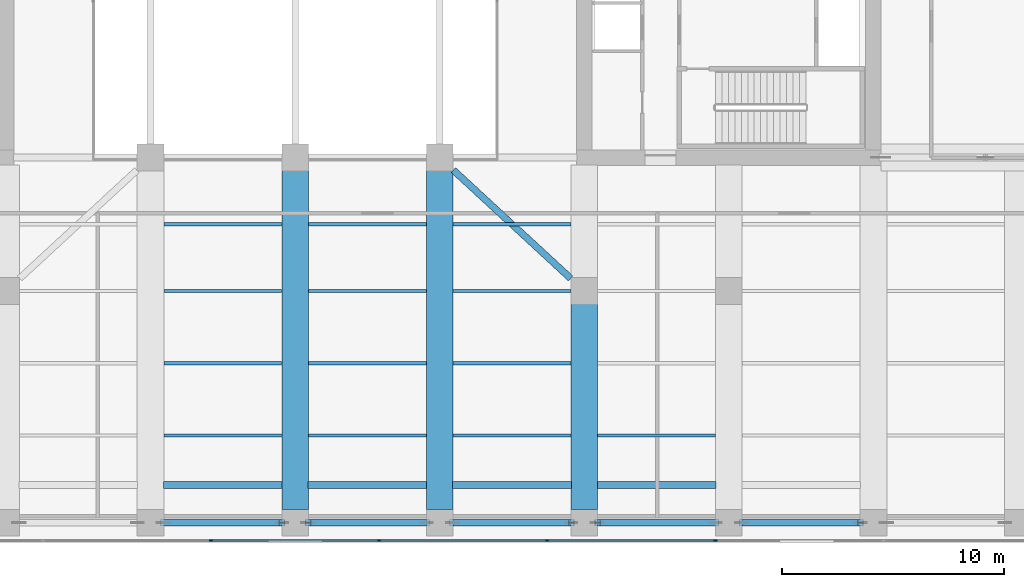
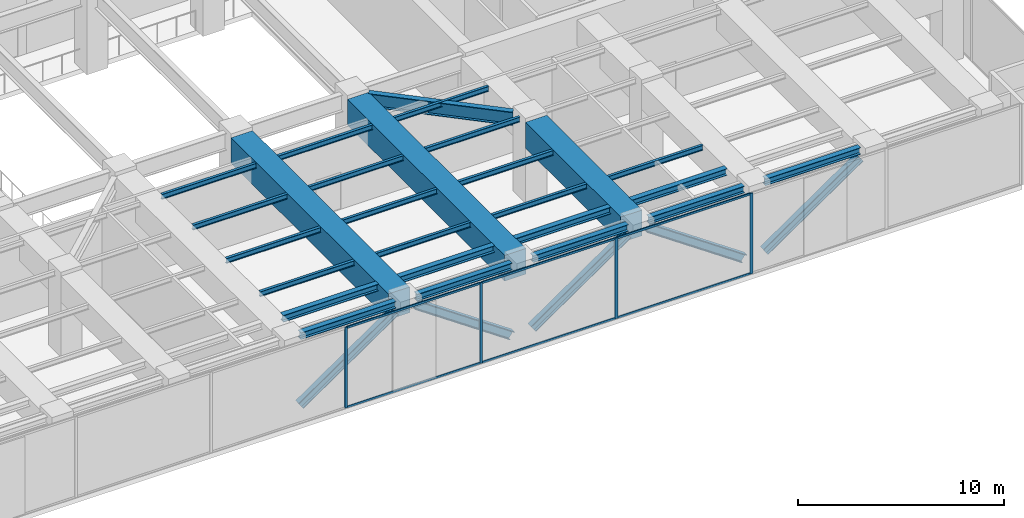
# One storey, part 5 of 28: 26 beams, 15 members, 1 element without a shape of its own.
"""IFC4 building model written with IfcOpenShell, lengths in metres."""

from ifc_helpers import new_model, si_unit, direction, frame, origin, origin_2d, place, context, subcontext, project, spatial, rectangle, i_section, extrude, material, layer, layer_set, material_profile, profile_set, type_object, element, aggregate, save


model = new_model("IFC4")

# Units and contexts
model_context = context("Model", 3, precision=1e-05, world=origin(), true_north=direction((0.0, 1.0)))
body_context = subcontext(model_context, "Body", "Model", "MODEL_VIEW")
ifc_project = project(units=[si_unit("LENGTHUNIT", "METRE"), si_unit("AREAUNIT", "SQUARE_METRE"), si_unit("VOLUMEUNIT", "CUBIC_METRE"), si_unit("PLANEANGLEUNIT", "RADIAN"), si_unit("MASSUNIT", "GRAM", prefix="KILO")], contexts=[model_context])

# Site, building, storey
site_placement = place(None, origin())
site = spatial("IfcSite", under=ifc_project, at=site_placement, CompositionType="ELEMENT")
building_placement = place(site_placement, origin())
building = spatial("IfcBuilding", under=site, at=building_placement, Name="Putna Gate Headquarters", CompositionType="ELEMENT")
storey_placement = place(building_placement, frame((0.0, 0.0, 139.199951171875)))
storey = spatial("IfcBuildingStorey", under=building, at=storey_placement, Name="L34", CompositionType="ELEMENT", Elevation=139.199951171875)

# Beams
ifc_material_1 = material(Name="Steel S355J2", Category="steel")
ifc_material_profile_1 = material_profile(ifc_material_1, i_section(OverallWidth=0.300048828125, OverallDepth=0.800048828125, WebThickness=0.017578125, FlangeThickness=0.032958984375, at=origin_2d()), Name="Steel S355J2")
ifc_profile_set_1 = profile_set([ifc_material_profile_1], Name="Steel S355J2")
beam_type_1 = type_object("IfcBeamType", Name="BM-GIRD-P-HEB800", PredefinedType="USERDEFINED", material=ifc_profile_set_1)
beam_1_placement = place(storey_placement, frame((51.3857421875, 13.56689453125, 4.3720703125), z_axis=(-0.734787788201, 0.678297063469, 0.0), x_axis=(-0.678297063469, -0.734787788201, 0.0)))
element("IfcBeam", 1, at=beam_1_placement, inside=storey, type_object=beam_type_1, Name="L34 Core Flank Collector Tie Girder SE", ObjectType="GIRDER", PredefinedType="USERDEFINED", context=body_context, shape_type="SweptSolid", body=[
    extrude(i_section(OverallWidth=0.300048828125, OverallDepth=0.800048828125, WebThickness=0.017578125, FlangeThickness=0.032958984375, at=origin_2d()), origin(), (0.0, 0.0, 1.0), 7.174072265625),
])
ifc_material_profile_2 = material_profile(ifc_material_1, i_section(OverallWidth=0.14990234375, OverallDepth=0.300048828125, WebThickness=0.007080078125, FlangeThickness=0.0107421875, at=origin_2d()), Name="Steel S355J2")
ifc_profile_set_2 = profile_set([ifc_material_profile_2], Name="Steel S355J2")
beam_type_2 = type_object("IfcBeamType", Name="BM-SEC-Z3-IPE300", PredefinedType="JOIST", material=ifc_profile_set_2)
for number, where, z_axis, x_axis, name in (
    (2, (33.10400390625, 6.5, 4.6220703125), (1.0, 0.0, 0.0), (0.0, 1.0, 0.0), "L34 South Secondary Beam 5"),
    (3, (33.10400390625, 9.75, 4.6220703125), (1.0, 0.0, 0.0), (0.0, 1.0, 0.0), "L34 South Secondary Beam 5"),
    (4, (33.10400390625, 13.0, 4.6220703125), (1.0, 0.0, 0.0), (0.0, 1.0, 0.0), "L34 South Secondary Beam 5"),
    (5, (33.10400390625, 16.0, 4.6220703125), (1.0, 0.0, 0.0), (0.0, 1.0, 0.0), "L34 South Secondary Beam 5"),
    (6, (39.60400390625, 6.5, 4.6220703125), (1.0, 0.0, 0.0), (0.0, 1.0, 0.0), "L34 South Secondary Beam 6"),
    (7, (39.60400390625, 9.75, 4.6220703125), (1.0, 0.0, 0.0), (0.0, 1.0, 0.0), "L34 South Secondary Beam 6"),
    (8, (39.60400390625, 13.0, 4.6220703125), (1.0, 0.0, 0.0), (0.0, 1.0, 0.0), "L34 South Secondary Beam 6"),
    (9, (39.60400390625, 16.0, 4.6220703125), (1.0, 0.0, 0.0), (0.0, 1.0, 0.0), "L34 South Secondary Beam 6"),
    (10, (46.10400390625, 6.5, 4.6220703125), (1.0, 0.0, 0.0), (0.0, 1.0, 0.0), "L34 South Secondary Beam 7"),
    (11, (46.10400390625, 9.75, 4.6220703125), (1.0, 0.0, 0.0), (0.0, 1.0, 0.0), "L34 South Secondary Beam 7"),
):
    element("IfcBeam", number, at=place(storey_placement, frame(where, z_axis=z_axis, x_axis=x_axis)), inside=storey, type_object=beam_type_2, Name=name, PredefinedType="JOIST", context=body_context, shape_type="SweptSolid", body=[
        extrude(i_section(OverallWidth=0.14990234375, OverallDepth=0.300048828125, WebThickness=0.007080078125, FlangeThickness=0.0107421875, at=origin_2d()), origin(), (0.0, 0.0, 1.0), 5.2919921875),
    ])
beam_2_placement = place(storey_placement, frame((46.10400390625, 13.0, 4.6220703125), z_axis=(1.0, 0.0, 0.0), x_axis=(0.0, 1.0, 0.0)))
element("IfcBeam", 12, at=beam_2_placement, inside=storey, type_object=beam_type_2, Name="L34 South Secondary Beam 7", PredefinedType="JOIST", context=body_context, shape_type="SweptSolid", body=[
    extrude(i_section(OverallWidth=0.14990234375, OverallDepth=0.300048828125, WebThickness=0.007080078125, FlangeThickness=0.0107421875, at=origin_2d()), origin(), (0.0, 0.0, 1.0), 5.30810546875),
])
for number, where, z_axis, x_axis, name in (
    (13, (46.10400390625, 16.0, 4.6220703125), (1.0, 0.0, 0.0), (0.0, 1.0, 0.0), "L34 South Secondary Beam 7"),
    (14, (52.60400390625, 6.5, 4.6220703125), (1.0, 0.0, 0.0), (0.0, 1.0, 0.0), "L34 South Secondary Beam 8"),
):
    element("IfcBeam", number, at=place(storey_placement, frame(where, z_axis=z_axis, x_axis=x_axis)), inside=storey, type_object=beam_type_2, Name=name, PredefinedType="JOIST", context=body_context, shape_type="SweptSolid", body=[
        extrude(i_section(OverallWidth=0.14990234375, OverallDepth=0.300048828125, WebThickness=0.007080078125, FlangeThickness=0.0107421875, at=origin_2d()), origin(), (0.0, 0.0, 1.0), 5.2919921875),
    ])
ifc_material_profile_3 = material_profile(ifc_material_1, i_section(OverallWidth=0.300048828125, OverallDepth=0.39990234375, WebThickness=0.013427734375, FlangeThickness=0.02392578125, at=origin_2d()), Name="Steel S355J2")
ifc_profile_set_3 = profile_set([ifc_material_profile_3], Name="Steel S355J2")
beam_type_3 = type_object("IfcBeamType", Name="BM-SPAN-Z3-HEB400", PredefinedType="SPANDREL", material=ifc_profile_set_3)
for number, where, z_axis, x_axis, name in (
    (15, (33.087890625, 2.580078125, 4.572021484375), (1.0, 0.0, 0.0), (0.0, 1.0, 0.0), "L34 S Perimeter Spandrel 5"),
    (16, (39.587890625, 2.580078125, 4.572021484375), (1.0, 0.0, 0.0), (0.0, 1.0, 0.0), "L34 S Perimeter Spandrel 6"),
    (17, (46.087890625, 2.580078125, 4.572021484375), (1.0, 0.0, 0.0), (0.0, 1.0, 0.0), "L34 S Perimeter Spandrel 7"),
    (18, (52.587890625, 2.580078125, 4.572021484375), (1.0, 0.0, 0.0), (0.0, 1.0, 0.0), "L34 S Perimeter Spandrel 8"),
    (19, (59.087890625, 2.580078125, 4.572021484375), (1.0, 0.0, 0.0), (0.0, 1.0, 0.0), "L34 S Perimeter Spandrel 9"),
):
    element("IfcBeam", number, at=place(storey_placement, frame(where, z_axis=z_axis, x_axis=x_axis)), inside=storey, type_object=beam_type_3, Name=name, PredefinedType="SPANDREL", context=body_context, shape_type="SweptSolid", body=[
        extrude(i_section(OverallWidth=0.300048828125, OverallDepth=0.39990234375, WebThickness=0.013427734375, FlangeThickness=0.02392578125, at=origin_2d()), origin(), (0.0, 0.0, 1.0), 5.32421875),
    ])
for number, where, z_axis, x_axis, name in (
    (20, (33.0849609375, 4.280029296875, 4.572021484375), (1.0, 0.0, 0.0), (0.0, 1.0, 0.0), "L34 Setback Edge Beam S4"),
    (21, (39.5849609375, 4.280029296875, 4.572021484375), (1.0, 0.0, 0.0), (0.0, 1.0, 0.0), "L34 Setback Edge Beam S5"),
    (22, (46.0849609375, 4.280029296875, 4.572021484375), (1.0, 0.0, 0.0), (0.0, 1.0, 0.0), "L34 Setback Edge Beam S6"),
    (23, (52.5849609375, 4.280029296875, 4.572021484375), (1.0, 0.0, 0.0), (0.0, 1.0, 0.0), "L34 Setback Edge Beam S7"),
):
    element("IfcBeam", number, at=place(storey_placement, frame(where, z_axis=z_axis, x_axis=x_axis)), inside=storey, type_object=beam_type_3, Name=name, PredefinedType="SPANDREL", context=body_context, shape_type="SweptSolid", body=[
        extrude(i_section(OverallWidth=0.300048828125, OverallDepth=0.39990234375, WebThickness=0.013427734375, FlangeThickness=0.02392578125, at=origin_2d()), origin(), (0.0, 0.0, 1.0), 5.330078125),
    ])
ifc_material_2 = material(Name="Concrete C50/60", Category="concrete")
ifc_material_profile_4 = material_profile(ifc_material_2, rectangle(XDim=1.199951171875, YDim=1.52001953125, at=origin_2d()), Name="Concrete C50/60")
ifc_profile_set_4 = profile_set([ifc_material_profile_4], Name="Concrete C50/60")
beam_type_4 = type_object("IfcBeamType", Name="BM-TG-RC1520", PredefinedType="USERDEFINED", material=ifc_profile_set_4)
for number, where, z_axis, x_axis, name in (
    (24, (39.0, 3.16796875, 4.011962890625), (0.0, 1.0, 0.0), (-1.0, 0.0, 0.0), "L34 South Primary Girder X39"),
    (25, (45.5, 3.16796875, 4.011962890625), (0.0, 1.0, 0.0), (-1.0, 0.0, 0.0), "L34 South Primary Girder X45"),
):
    element("IfcBeam", number, at=place(storey_placement, frame(where, z_axis=z_axis, x_axis=x_axis)), inside=storey, type_object=beam_type_4, Name=name, ObjectType="GIRDER", PredefinedType="USERDEFINED", context=body_context, shape_type="SweptSolid", body=[
        extrude(rectangle(XDim=1.199951171875, YDim=1.52001953125, at=origin_2d()), origin(), (0.0, 0.0, 1.0), 15.244140625),
    ])
beam_3_placement = place(storey_placement, frame((52.0, 3.16796875, 4.011962890625), z_axis=(0.0, 1.0, 0.0), x_axis=(-1.0, 0.0, 0.0)))
element("IfcBeam", 26, at=beam_3_placement, inside=storey, type_object=beam_type_4, Name="L34 South Primary Girder X52-1", ObjectType="GIRDER", PredefinedType="USERDEFINED", context=body_context, shape_type="SweptSolid", body=[
    extrude(rectangle(XDim=1.199951171875, YDim=1.52001953125, at=origin_2d()), origin(), (0.0, 0.0, 1.0), 9.244140625),
])

# Members
ifc_material_3 = material(Name="Steel S460M", Category="steel")
ifc_material_profile_5 = material_profile(ifc_material_3, i_section(OverallWidth=0.306884765625, OverallDepth=0.47802734375, WebThickness=0.02099609375, FlangeThickness=0.0400390625, at=origin_2d()), Name="Steel S460M")
ifc_profile_set_5 = profile_set([ifc_material_profile_5], Name="Steel S460M")
member_type_1 = type_object("IfcMemberType", Name="MEM-BELT-DIAG-HEM450", PredefinedType="BRACE", material=ifc_profile_set_5)
for number, where, z_axis, x_axis, name in (
    (27, (33.0849609375, 2.580078125, 0.449951171875), (0.823486846025, 0.0, 0.567335363277), (0.0, 1.0, 0.0), "L34 Belt Truss Diagonal S5"),
    (28, (39.5849609375, 2.580078125, 4.1220703125), (0.823486846025, 0.0, -0.567335363277), (0.0, 1.0, 0.0), "L34 Belt Truss Diagonal S6"),
    (29, (46.0849609375, 2.580078125, 0.449951171875), (0.823486846025, 0.0, 0.567335363277), (0.0, 1.0, 0.0), "L34 Belt Truss Diagonal S7"),
    (30, (52.5849609375, 2.580078125, 4.1220703125), (0.823486846025, 0.0, -0.567335363277), (0.0, 1.0, 0.0), "L34 Belt Truss Diagonal S8"),
    (31, (59.0849609375, 2.580078125, 0.449951171875), (0.823486846025, 0.0, 0.567335363277), (0.0, 1.0, 0.0), "L34 Belt Truss Diagonal S9"),
):
    element("IfcMember", number, at=place(storey_placement, frame(where, z_axis=z_axis, x_axis=x_axis)), inside=storey, type_object=member_type_1, Name=name, PredefinedType="BRACE", context=body_context, shape_type="SweptSolid", body=[
        extrude(i_section(OverallWidth=0.306884765625, OverallDepth=0.47802734375, WebThickness=0.02099609375, FlangeThickness=0.0400390625, at=origin_2d()), origin(), (0.0, 0.0, 1.0), 6.47265625),
    ])

# Curtain wall, members
ifc_material_4 = material(Name="Anodised bronze aluminium curtain wall", Category="aluminium")
ifc_layer = layer(ifc_material_4, 0.159912109375)
ifc_layer_set = layer_set([ifc_layer], Name="Anodised bronze aluminium curtain wall")
curtain_wall_type = type_object("IfcCurtainWallType", Name="CW-SYS-CRN", PredefinedType="USERDEFINED", material=ifc_layer_set)
curtain_wall_placement = place(storey_placement, origin())
curtain_wall = element("IfcCurtainWall", 32, at=curtain_wall_placement, inside=storey, type_object=curtain_wall_type, Name="L34 Acoustic Louvre South Enclosure", ObjectType="STICK CURTAIN WALL", PredefinedType="USERDEFINED")
ifc_material_5 = material(Name="Anodised bronze aluminium EN AW-6060", Category="aluminium")
ifc_material_profile_6 = material_profile(ifc_material_5, rectangle(XDim=0.06494140625, YDim=0.159912109375, at=origin_2d()), Name="Anodised bronze aluminium EN AW-6060")
ifc_profile_set_6 = profile_set([ifc_material_profile_6], Name="Anodised bronze aluminium EN AW-6060")
member_type_2 = type_object("IfcMemberType", Name="MULL-CWM-CR", PredefinedType="MULLION", material=ifc_profile_set_6)
member_1_placement = place(storey_placement, frame((35.22216796875, 1.780029296875, 0.0), z_axis=(0.0, 0.0, 1.0), x_axis=(0.0, 1.0, 0.0)))
member_1 = element("IfcMember", 33, at=member_1_placement, type_object=member_type_2, Name="CWS-CR mullion 5", PredefinedType="MULLION", context=body_context, shape_type="SweptSolid", body=[
    extrude(rectangle(XDim=0.06494140625, YDim=0.159912109375, at=origin_2d()), origin(), (0.0, 0.0, 1.0), 4.77197265625),
])
member_2_placement = place(storey_placement, frame((42.77783203125, 1.780029296875, 0.0), z_axis=(0.0, 0.0, 1.0), x_axis=(0.0, 1.0, 0.0)))
member_2 = element("IfcMember", 34, at=member_2_placement, type_object=member_type_2, Name="CWS-CR mullion 6", PredefinedType="MULLION", context=body_context, shape_type="SweptSolid", body=[
    extrude(rectangle(XDim=0.06494140625, YDim=0.159912109375, at=origin_2d()), origin(), (0.0, 0.0, 1.0), 4.77197265625),
])
member_3_placement = place(storey_placement, frame((50.333251953125, 1.780029296875, 0.0), z_axis=(0.0, 0.0, 1.0), x_axis=(0.0, 1.0, 0.0)))
member_3 = element("IfcMember", 35, at=member_3_placement, type_object=member_type_2, Name="CWS-CR mullion 7", PredefinedType="MULLION", context=body_context, shape_type="SweptSolid", body=[
    extrude(rectangle(XDim=0.06494140625, YDim=0.159912109375, at=origin_2d()), origin(), (0.0, 0.0, 1.0), 4.77197265625),
])
member_4_placement = place(storey_placement, frame((57.888916015625, 1.780029296875, 0.0), z_axis=(0.0, 0.0, 1.0), x_axis=(0.0, 1.0, 0.0)))
member_4 = element("IfcMember", 36, at=member_4_placement, type_object=member_type_2, Name="CWS-CR mullion 8", PredefinedType="MULLION", context=body_context, shape_type="SweptSolid", body=[
    extrude(rectangle(XDim=0.06494140625, YDim=0.159912109375, at=origin_2d()), origin(), (0.0, 0.0, 1.0), 4.77197265625),
])
ifc_material_profile_7 = material_profile(ifc_material_5, rectangle(XDim=0.06494140625, YDim=0.1201171875, at=origin_2d()), Name="Anodised bronze aluminium EN AW-6060")
ifc_profile_set_7 = profile_set([ifc_material_profile_7], Name="Anodised bronze aluminium EN AW-6060")
member_type_3 = type_object("IfcMemberType", Name="TRAN-CWT-CR", PredefinedType="USERDEFINED", material=ifc_profile_set_7)
member_5_placement = place(storey_placement, frame((35.254638671875, 1.780029296875, 0.032470703125), z_axis=(1.0, 0.0, 0.0), x_axis=(0.0, 1.0, 0.0)))
member_5 = element("IfcMember", 37, at=member_5_placement, type_object=member_type_3, Name="CWS-CR transom 5.1", ObjectType="TRANSOM", PredefinedType="USERDEFINED", context=body_context, shape_type="SweptSolid", body=[
    extrude(rectangle(XDim=0.06494140625, YDim=0.1201171875, at=origin_2d()), origin(), (0.0, 0.0, 1.0), 7.49072265625),
])
member_6_placement = place(storey_placement, frame((35.254638671875, 1.780029296875, 4.739501953125), z_axis=(1.0, 0.0, 0.0), x_axis=(0.0, 1.0, 0.0)))
member_6 = element("IfcMember", 38, at=member_6_placement, type_object=member_type_3, Name="CWS-CR transom 5.2", ObjectType="TRANSOM", PredefinedType="USERDEFINED", context=body_context, shape_type="SweptSolid", body=[
    extrude(rectangle(XDim=0.06494140625, YDim=0.1201171875, at=origin_2d()), origin(), (0.0, 0.0, 1.0), 7.49072265625),
])
member_7_placement = place(storey_placement, frame((42.810302734375, 1.780029296875, 0.032470703125), z_axis=(1.0, 0.0, 0.0), x_axis=(0.0, 1.0, 0.0)))
member_7 = element("IfcMember", 39, at=member_7_placement, type_object=member_type_3, Name="CWS-CR transom 6.1", ObjectType="TRANSOM", PredefinedType="USERDEFINED", context=body_context, shape_type="SweptSolid", body=[
    extrude(rectangle(XDim=0.06494140625, YDim=0.1201171875, at=origin_2d()), origin(), (0.0, 0.0, 1.0), 7.490478515625),
])
member_8_placement = place(storey_placement, frame((42.810302734375, 1.780029296875, 4.739501953125), z_axis=(1.0, 0.0, 0.0), x_axis=(0.0, 1.0, 0.0)))
member_8 = element("IfcMember", 40, at=member_8_placement, type_object=member_type_3, Name="CWS-CR transom 6.2", ObjectType="TRANSOM", PredefinedType="USERDEFINED", context=body_context, shape_type="SweptSolid", body=[
    extrude(rectangle(XDim=0.06494140625, YDim=0.1201171875, at=origin_2d()), origin(), (0.0, 0.0, 1.0), 7.490478515625),
])
member_9_placement = place(storey_placement, frame((50.36572265625, 1.780029296875, 0.032470703125), z_axis=(1.0, 0.0, 0.0), x_axis=(0.0, 1.0, 0.0)))
member_9 = element("IfcMember", 41, at=member_9_placement, type_object=member_type_3, Name="CWS-CR transom 7.1", ObjectType="TRANSOM", PredefinedType="USERDEFINED", context=body_context, shape_type="SweptSolid", body=[
    extrude(rectangle(XDim=0.06494140625, YDim=0.1201171875, at=origin_2d()), origin(), (0.0, 0.0, 1.0), 7.49072265625),
])
member_10_placement = place(storey_placement, frame((50.36572265625, 1.780029296875, 4.739501953125), z_axis=(1.0, 0.0, 0.0), x_axis=(0.0, 1.0, 0.0)))
member_10 = element("IfcMember", 42, at=member_10_placement, type_object=member_type_3, Name="CWS-CR transom 7.2", ObjectType="TRANSOM", PredefinedType="USERDEFINED", context=body_context, shape_type="SweptSolid", body=[
    extrude(rectangle(XDim=0.06494140625, YDim=0.1201171875, at=origin_2d()), origin(), (0.0, 0.0, 1.0), 7.49072265625),
])
aggregate(curtain_wall, [member_1, member_2, member_3, member_4, member_5, member_6, member_7, member_8, member_9, member_10])

save(model, "model.ifc")
